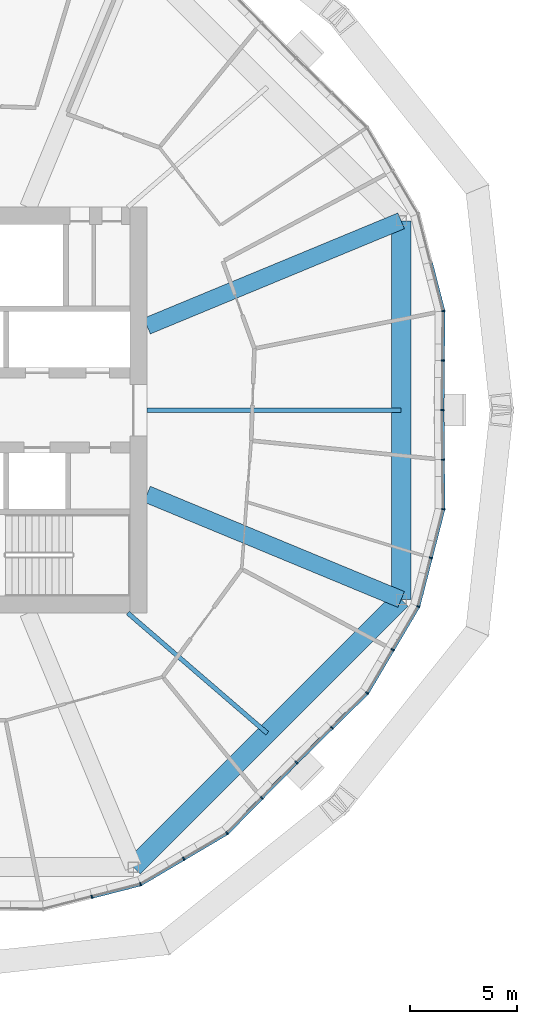
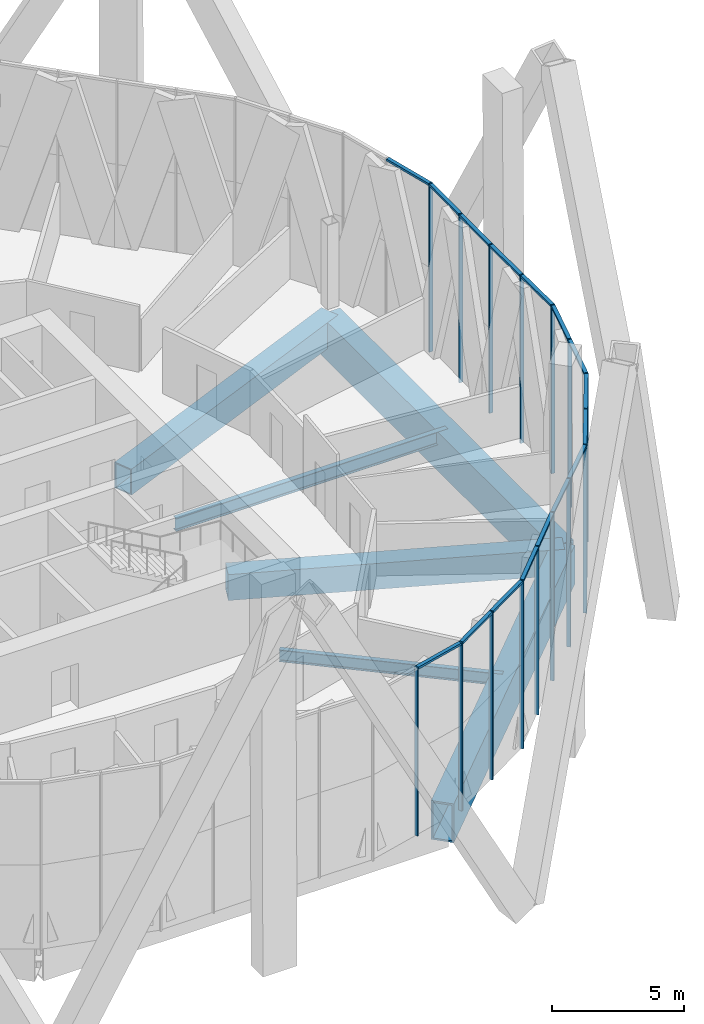
# One storey, part 6 of 30: 32 members, 6 beams, 3 elements without a shape of their own.
"""IFC4 building model written with IfcOpenShell, lengths in metres."""

from ifc_helpers import new_model, si_unit, direction, frame, origin, origin_2d, place, context, subcontext, project, spatial, rectangle, hollow_rectangle, i_section, extrude, material, material_profile, profile_set, type_object, element, aggregate, save


model = new_model("IFC4")

# Units and contexts
model_context = context("Model", 3, precision=1e-05, world=origin(), true_north=direction((0.0, 1.0)))
body_context = subcontext(model_context, "Body", "Model", "MODEL_VIEW")
ifc_project = project(units=[si_unit("LENGTHUNIT", "METRE"), si_unit("AREAUNIT", "SQUARE_METRE"), si_unit("VOLUMEUNIT", "CUBIC_METRE"), si_unit("PLANEANGLEUNIT", "RADIAN"), si_unit("MASSUNIT", "GRAM", prefix="KILO")], contexts=[model_context])

# Site, building, storey
site_placement = place(None, origin())
site = spatial("IfcSite", under=ifc_project, at=site_placement, CompositionType="ELEMENT")
building_placement = place(site_placement, origin())
building = spatial("IfcBuilding", under=site, at=building_placement, Name="Ogive Gate Towers", CompositionType="ELEMENT")
storey_placement = place(building_placement, frame((0.0, 0.0, 99.60009765625)))
storey = spatial("IfcBuildingStorey", under=building, at=storey_placement, Name="L23", CompositionType="ELEMENT", Elevation=99.60009765625)

# Beams
ifc_material_1 = material(Name="Steel SM460", Category="steel")
ifc_material_profile_1 = material_profile(ifc_material_1, hollow_rectangle(XDim=0.89990234375, YDim=1.800048828125, WallThickness=0.080078125, at=origin_2d()), Name="BX 1800x900x80")
ifc_profile_set_1 = profile_set([ifc_material_profile_1], Name="Steel SM460")
beam_type_1 = type_object("IfcBeamType", Name="Edge girder BX 1800x900x80", PredefinedType="BEAM", material=ifc_profile_set_1)
beam_1_placement = place(storey_placement, frame((-27.136962890625, -21.39697265625, -1.2001953125), z_axis=(0.707106781187, 0.707106781187, 0.0), x_axis=(-0.707106781187, 0.707106781187, 0.0)))
element("IfcBeam", 1, at=beam_1_placement, inside=storey, type_object=beam_type_1, Name="T1/L23/SBM019", PredefinedType="BEAM", context=body_context, shape_type="SweptSolid", body=[
    extrude(hollow_rectangle(XDim=0.89990234375, YDim=1.800048828125, WallThickness=0.080078125, at=origin_2d()), origin(), (0.0, 0.0, 1.0), 17.7255859375),
])
beam_2_placement = place(storey_placement, frame((-14.60302734375, -8.863037109375, -1.2001953125), z_axis=(0.0, 1.0, 0.0), x_axis=(-1.0, 0.0, 0.0)))
element("IfcBeam", 2, at=beam_2_placement, inside=storey, type_object=beam_type_1, Name="T1/L23/SBM020", PredefinedType="BEAM", context=body_context, shape_type="SweptSolid", body=[
    extrude(hollow_rectangle(XDim=0.89990234375, YDim=1.800048828125, WallThickness=0.080078125, at=origin_2d()), origin(), (0.0, 0.0, 1.0), 17.72607421875),
])
ifc_material_2 = material(Name="Steel SM355", Category="steel")
ifc_material_profile_2 = material_profile(ifc_material_2, i_section(OverallWidth=0.2099609375, OverallDepth=0.550048828125, WebThickness=0.010986328125, FlangeThickness=0.01708984375, FilletRadius=0.02392578125, at=origin_2d()), Name="IPE 550")
ifc_profile_set_2 = profile_set([ifc_material_profile_2], Name="Steel SM355")
beam_type_2 = type_object("IfcBeamType", Name="Radial floor beam IPE 550", PredefinedType="BEAM", material=ifc_profile_set_2)
beam_3_placement = place(storey_placement, frame((-27.39990234375, -9.5, -0.5751953125), z_axis=(0.757366499315, -0.652990034928, 0.0), x_axis=(0.652990034928, 0.757366499315, 0.0)))
element("IfcBeam", 3, at=beam_3_placement, inside=storey, type_object=beam_type_2, Name="T1/L23/SBM006", PredefinedType="BEAM", context=body_context, shape_type="SweptSolid", body=[
    extrude(i_section(OverallWidth=0.2099609375, OverallDepth=0.550048828125, WebThickness=0.010986328125, FlangeThickness=0.01708984375, FilletRadius=0.02392578125, at=origin_2d()), origin(), (0.0, 0.0, 1.0), 8.62158203125),
])
ifc_material_profile_3 = material_profile(ifc_material_2, i_section(OverallWidth=0.219970703125, OverallDepth=0.60009765625, WebThickness=0.011962890625, FlangeThickness=0.01904296875, FilletRadius=0.02392578125, at=origin_2d()), Name="IPE 600")
ifc_profile_set_3 = profile_set([ifc_material_profile_3], Name="Steel SM355")
beam_type_3 = type_object("IfcBeamType", Name="Radial floor beam IPE 600", PredefinedType="BEAM", material=ifc_profile_set_3)
beam_4_placement = place(storey_placement, frame((-26.5, 0.0, -0.60009765625), z_axis=(1.0, 0.0, 0.0), x_axis=(0.0, 1.0, 0.0)))
element("IfcBeam", 4, at=beam_4_placement, inside=storey, type_object=beam_type_3, Name="T1/L23/SBM008", PredefinedType="BEAM", context=body_context, shape_type="SweptSolid", body=[
    extrude(i_section(OverallWidth=0.219970703125, OverallDepth=0.60009765625, WebThickness=0.011962890625, FlangeThickness=0.01904296875, FilletRadius=0.02392578125, at=origin_2d()), origin(), (0.0, 0.0, 1.0), 11.89697265625),
])

# Curtain wall, members
ifc_material_3 = material(Name="Pale metal aluminium", Category="aluminium")
curtain_wall_type = type_object("IfcCurtainWallType", Name="Tower unitised wall, low zone", PredefinedType="NOTDEFINED", material=ifc_material_3)
curtain_wall_1_placement = place(storey_placement, origin())
curtain_wall_1 = element("IfcCurtainWall", 5, at=curtain_wall_1_placement, inside=storey, type_object=curtain_wall_type, Name="CW1 T1 ECW03", PredefinedType="NOTDEFINED")
ifc_material_profile_4 = material_profile(ifc_material_3, rectangle(XDim=0.159912109375, YDim=0.06005859375, at=origin_2d()), Name="60 x 160 aluminium box")
ifc_profile_set_4 = profile_set([ifc_material_profile_4], Name="Pale metal aluminium")
member_type_1 = type_object("IfcMemberType", Name="Tower unitised wall, low zone mullion 60 x 160", PredefinedType="MULLION", material=ifc_profile_set_4)
member_1_placement = place(storey_placement, frame((-12.62548828125, 4.64013671875, -0.300048828125), z_axis=(0.0, 0.0, 1.0), x_axis=(-0.992669010308, -0.120864535632, 0.0)))
member_1 = element("IfcMember", 6, at=member_1_placement, type_object=member_type_1, Name="CW1 mullion", PredefinedType="MULLION", context=body_context, shape_type="SweptSolid", body=[
    extrude(rectangle(XDim=0.159912109375, YDim=0.06005859375, at=origin_2d()), origin(), (0.0, 0.0, 1.0), 7.800048828125),
])
member_2_placement = place(storey_placement, frame((-12.647705078125, 2.318603515625, -0.300048828125), z_axis=(0.0, 0.0, 1.0), x_axis=(-0.999953926969, 0.009599163462, 0.0)))
member_2 = element("IfcMember", 7, at=member_2_placement, type_object=member_type_1, Name="CW1 mullion", PredefinedType="MULLION", context=body_context, shape_type="SweptSolid", body=[
    extrude(rectangle(XDim=0.159912109375, YDim=0.06005859375, at=origin_2d()), origin(), (0.0, 0.0, 1.0), 7.800048828125),
])
member_3_placement = place(storey_placement, frame((-12.669921875, -0.000244140625, -0.300048828125), z_axis=(0.0, 0.0, 1.0), x_axis=(-0.99995375928, 0.009616615949, 0.0)))
member_3 = element("IfcMember", 8, at=member_3_placement, type_object=member_type_1, Name="CW1 mullion", PredefinedType="MULLION", context=body_context, shape_type="SweptSolid", body=[
    extrude(rectangle(XDim=0.159912109375, YDim=0.06005859375, at=origin_2d()), origin(), (0.0, 0.0, 1.0), 7.800048828125),
])

curtain_wall_2_placement = place(storey_placement, origin())
curtain_wall_2 = element("IfcCurtainWall", 9, at=curtain_wall_2_placement, inside=storey, type_object=curtain_wall_type, Name="CW1 T1 ECW09", PredefinedType="NOTDEFINED")
member_4_placement = place(storey_placement, frame((-19.5029296875, -16.49658203125, -0.300048828125), z_axis=(0.0, 0.0, 1.0), x_axis=(-0.713849613797, 0.700299028189, 0.0)))
member_4 = element("IfcMember", 10, at=member_4_placement, type_object=member_type_1, Name="CW1 mullion", PredefinedType="MULLION", context=body_context, shape_type="SweptSolid", body=[
    extrude(rectangle(XDim=0.159912109375, YDim=0.06005859375, at=origin_2d()), origin(), (0.0, 0.0, 1.0), 7.800048828125),
])
member_5_placement = place(storey_placement, frame((-21.126953125, -18.152099609375, -0.300048828125), z_axis=(0.0, 0.0, 1.0), x_axis=(-0.713849613797, 0.700299028189, 0.0)))
member_5 = element("IfcMember", 11, at=member_5_placement, type_object=member_type_1, Name="CW1 mullion", PredefinedType="MULLION", context=body_context, shape_type="SweptSolid", body=[
    extrude(rectangle(XDim=0.159912109375, YDim=0.06005859375, at=origin_2d()), origin(), (0.0, 0.0, 1.0), 7.800048828125),
])
member_6_placement = place(storey_placement, frame((-22.7529296875, -19.809326171875, -0.300048828125), z_axis=(0.0, 0.0, 1.0), x_axis=(-0.616458855912, 0.787387121413, 0.0)))
member_6 = element("IfcMember", 12, at=member_6_placement, type_object=member_type_1, Name="CW1 mullion", PredefinedType="MULLION", context=body_context, shape_type="SweptSolid", body=[
    extrude(rectangle(XDim=0.159912109375, YDim=0.06005859375, at=origin_2d()), origin(), (0.0, 0.0, 1.0), 7.800048828125),
])
member_7_placement = place(storey_placement, frame((-24.778076171875, -21.005615234375, -0.300048828125), z_axis=(0.0, 0.0, 1.0), x_axis=(-0.508545579527, 0.86103507103, 0.0)))
member_7 = element("IfcMember", 13, at=member_7_placement, type_object=member_type_1, Name="CW1 mullion", PredefinedType="MULLION", context=body_context, shape_type="SweptSolid", body=[
    extrude(rectangle(XDim=0.159912109375, YDim=0.06005859375, at=origin_2d()), origin(), (0.0, 0.0, 1.0), 7.800048828125),
])
member_8_placement = place(storey_placement, frame((-26.8037109375, -22.201904296875, -0.300048828125), z_axis=(0.0, 0.0, 1.0), x_axis=(-0.382683432365, 0.923879532511, 0.0)))
member_8 = element("IfcMember", 14, at=member_8_placement, type_object=member_type_1, Name="CW1 mullion", PredefinedType="MULLION", context=body_context, shape_type="SweptSolid", body=[
    extrude(rectangle(XDim=0.159912109375, YDim=0.06005859375, at=origin_2d()), origin(), (0.0, 0.0, 1.0), 7.800048828125),
])
member_9_placement = place(storey_placement, frame((-29.081787109375, -22.788330078125, -0.300048828125), z_axis=(0.0, 0.0, 1.0), x_axis=(-0.249247709738, 0.968439765391, 0.0)))
member_9 = element("IfcMember", 15, at=member_9_placement, type_object=member_type_1, Name="CW1 mullion", PredefinedType="MULLION", context=body_context, shape_type="SweptSolid", body=[
    extrude(rectangle(XDim=0.159912109375, YDim=0.06005859375, at=origin_2d()), origin(), (0.0, 0.0, 1.0), 7.800048828125),
])

curtain_wall_3_placement = place(storey_placement, origin())
curtain_wall_3 = element("IfcCurtainWall", 16, at=curtain_wall_3_placement, inside=storey, type_object=curtain_wall_type, Name="CW1 T1 ECW10", PredefinedType="NOTDEFINED")
member_10_placement = place(storey_placement, frame((-12.647705078125, -2.318603515625, -0.300048828125), z_axis=(0.0, 0.0, 1.0), x_axis=(-0.999953926969, -0.009599163462, 0.0)))
member_10 = element("IfcMember", 17, at=member_10_placement, type_object=member_type_1, Name="CW1 mullion", PredefinedType="MULLION", context=body_context, shape_type="SweptSolid", body=[
    extrude(rectangle(XDim=0.159912109375, YDim=0.06005859375, at=origin_2d()), origin(), (0.0, 0.0, 1.0), 7.800048828125),
])
member_11_placement = place(storey_placement, frame((-12.62548828125, -4.64013671875, -0.300048828125), z_axis=(0.0, 0.0, 1.0), x_axis=(-0.992669010308, 0.120864535632, 0.0)))
member_11 = element("IfcMember", 18, at=member_11_placement, type_object=member_type_1, Name="CW1 mullion", PredefinedType="MULLION", context=body_context, shape_type="SweptSolid", body=[
    extrude(rectangle(XDim=0.159912109375, YDim=0.06005859375, at=origin_2d()), origin(), (0.0, 0.0, 1.0), 7.800048828125),
])
member_12_placement = place(storey_placement, frame((-13.211669921875, -6.918212890625, -0.300048828125), z_axis=(0.0, 0.0, 1.0), x_axis=(-0.968439765391, 0.249247709738, 0.0)))
member_12 = element("IfcMember", 19, at=member_12_placement, type_object=member_type_1, Name="CW1 mullion", PredefinedType="MULLION", context=body_context, shape_type="SweptSolid", body=[
    extrude(rectangle(XDim=0.159912109375, YDim=0.06005859375, at=origin_2d()), origin(), (0.0, 0.0, 1.0), 7.800048828125),
])
member_13_placement = place(storey_placement, frame((-13.798095703125, -9.1962890625, -0.300048828125), z_axis=(0.0, 0.0, 1.0), x_axis=(-0.923879532511, 0.382683432365, 0.0)))
member_13 = element("IfcMember", 20, at=member_13_placement, type_object=member_type_1, Name="CW1 mullion", PredefinedType="MULLION", context=body_context, shape_type="SweptSolid", body=[
    extrude(rectangle(XDim=0.159912109375, YDim=0.06005859375, at=origin_2d()), origin(), (0.0, 0.0, 1.0), 7.800048828125),
])
member_14_placement = place(storey_placement, frame((-14.994384765625, -11.221923828125, -0.300048828125), z_axis=(0.0, 0.0, 1.0), x_axis=(-0.86103507103, 0.508545579527, 0.0)))
member_14 = element("IfcMember", 21, at=member_14_placement, type_object=member_type_1, Name="CW1 mullion", PredefinedType="MULLION", context=body_context, shape_type="SweptSolid", body=[
    extrude(rectangle(XDim=0.159912109375, YDim=0.06005859375, at=origin_2d()), origin(), (0.0, 0.0, 1.0), 7.800048828125),
])
member_15_placement = place(storey_placement, frame((-16.190673828125, -13.2470703125, -0.300048828125), z_axis=(0.0, 0.0, 1.0), x_axis=(-0.787387121413, 0.616458855912, 0.0)))
member_15 = element("IfcMember", 22, at=member_15_placement, type_object=member_type_1, Name="CW1 mullion", PredefinedType="MULLION", context=body_context, shape_type="SweptSolid", body=[
    extrude(rectangle(XDim=0.159912109375, YDim=0.06005859375, at=origin_2d()), origin(), (0.0, 0.0, 1.0), 7.800048828125),
])
member_16_placement = place(storey_placement, frame((-17.847900390625, -14.873046875, -0.300048828125), z_axis=(0.0, 0.0, 1.0), x_axis=(-0.700299028189, 0.713849613797, 0.0)))
member_16 = element("IfcMember", 23, at=member_16_placement, type_object=member_type_1, Name="CW1 mullion", PredefinedType="MULLION", context=body_context, shape_type="SweptSolid", body=[
    extrude(rectangle(XDim=0.159912109375, YDim=0.06005859375, at=origin_2d()), origin(), (0.0, 0.0, 1.0), 7.800048828125),
])

# Member
ifc_material_profile_5 = material_profile(ifc_material_3, rectangle(XDim=0.159912109375, YDim=0.10009765625, at=origin_2d()), Name="100 x 160 aluminium box")
ifc_profile_set_5 = profile_set([ifc_material_profile_5], Name="Pale metal aluminium")
member_type_2 = type_object("IfcMemberType", Name="Tower unitised wall, low zone transom 100 x 160", PredefinedType="USERDEFINED", material=ifc_profile_set_5)
member_17_placement = place(storey_placement, frame((-13.204345703125, 6.88916015625, 7.449951171875), z_axis=(0.249303934712, -0.968425293008, 0.0), x_axis=(0.968425293008, 0.249303934712, 0.0)))
member_17 = element("IfcMember", 24, at=member_17_placement, type_object=member_type_2, Name="CW1 transom", ObjectType="TRANSOM", PredefinedType="USERDEFINED", context=body_context, shape_type="SweptSolid", body=[
    extrude(rectangle(XDim=0.159912109375, YDim=0.10009765625, at=origin_2d()), origin(), (0.0, 0.0, 1.0), 2.28955078125),
])

member_18_placement = place(storey_placement, frame((-12.625732421875, 4.607666015625, 7.449951171875), z_axis=(-0.009618057208, -0.999953745418, 0.0), x_axis=(0.999953745418, -0.009618057208, 0.0)))
member_18 = element("IfcMember", 25, at=member_18_placement, type_object=member_type_2, Name="CW1 transom", ObjectType="TRANSOM", PredefinedType="USERDEFINED", context=body_context, shape_type="SweptSolid", body=[
    extrude(rectangle(XDim=0.159912109375, YDim=0.10009765625, at=origin_2d()), origin(), (0.0, 0.0, 1.0), 2.259033203125),
])

member_19_placement = place(storey_placement, frame((-12.64794921875, 2.288818359375, 7.449951171875), z_axis=(-0.009618057208, -0.999953745418, 0.0), x_axis=(0.999953745418, -0.009618057208, 0.0)))
member_19 = element("IfcMember", 26, at=member_19_placement, type_object=member_type_2, Name="CW1 transom", ObjectType="TRANSOM", PredefinedType="USERDEFINED", context=body_context, shape_type="SweptSolid", body=[
    extrude(rectangle(XDim=0.159912109375, YDim=0.10009765625, at=origin_2d()), origin(), (0.0, 0.0, 1.0), 2.259033203125),
])

aggregate(curtain_wall_1, [member_1, member_17, member_2, member_18, member_3, member_19])

member_20_placement = place(storey_placement, frame((-19.52392578125, -16.51806640625, 7.449951171875), z_axis=(-0.700319890129, -0.713829147269, 0.0), x_axis=(0.713829147269, -0.700319890129, 0.0)))
member_20 = element("IfcMember", 27, at=member_20_placement, type_object=member_type_2, Name="CW1 transom", ObjectType="TRANSOM", PredefinedType="USERDEFINED", context=body_context, shape_type="SweptSolid", body=[
    extrude(rectangle(XDim=0.159912109375, YDim=0.10009765625, at=origin_2d()), origin(), (0.0, 0.0, 1.0), 2.259033203125),
])

member_21_placement = place(storey_placement, frame((-21.14794921875, -18.173583984375, 7.449951171875), z_axis=(-0.700319890129, -0.713829147269, 0.0), x_axis=(0.713829147269, -0.700319890129, 0.0)))
member_21 = element("IfcMember", 28, at=member_21_placement, type_object=member_type_2, Name="CW1 transom", ObjectType="TRANSOM", PredefinedType="USERDEFINED", context=body_context, shape_type="SweptSolid", body=[
    extrude(rectangle(XDim=0.159912109375, YDim=0.10009765625, at=origin_2d()), origin(), (0.0, 0.0, 1.0), 2.259033203125),
])

member_22_placement = place(storey_placement, frame((-22.781005859375, -19.826171875, 7.449951171875), z_axis=(-0.861019926697, -0.508571220017, 0.0), x_axis=(0.508571220017, -0.861019926697, 0.0)))
member_22 = element("IfcMember", 29, at=member_22_placement, type_object=member_type_2, Name="CW1 transom", ObjectType="TRANSOM", PredefinedType="USERDEFINED", context=body_context, shape_type="SweptSolid", body=[
    extrude(rectangle(XDim=0.159912109375, YDim=0.10009765625, at=origin_2d()), origin(), (0.0, 0.0, 1.0), 2.289306640625),
])

member_23_placement = place(storey_placement, frame((-24.803955078125, -21.02099609375, 7.449951171875), z_axis=(-0.861047505043, -0.508524526508, 0.0), x_axis=(0.508524526508, -0.861047505043, 0.0)))
member_23 = element("IfcMember", 30, at=member_23_placement, type_object=member_type_2, Name="CW1 transom", ObjectType="TRANSOM", PredefinedType="USERDEFINED", context=body_context, shape_type="SweptSolid", body=[
    extrude(rectangle(XDim=0.159912109375, YDim=0.10009765625, at=origin_2d()), origin(), (0.0, 0.0, 1.0), 2.28955078125),
])

member_24_placement = place(storey_placement, frame((-26.83544921875, -22.210205078125, 7.449951171875), z_axis=(-0.968451032757, -0.249203926839, 0.0), x_axis=(0.249203926839, -0.968451032757, 0.0)))
member_24 = element("IfcMember", 31, at=member_24_placement, type_object=member_type_2, Name="CW1 transom", ObjectType="TRANSOM", PredefinedType="USERDEFINED", context=body_context, shape_type="SweptSolid", body=[
    extrude(rectangle(XDim=0.159912109375, YDim=0.10009765625, at=origin_2d()), origin(), (0.0, 0.0, 1.0), 2.28955078125),
])

aggregate(curtain_wall_2, [member_4, member_5, member_20, member_6, member_21, member_7, member_22, member_8, member_23, member_9, member_24])

member_25_placement = place(storey_placement, frame((-12.669677734375, -0.02978515625, 7.449951171875), z_axis=(0.009618057208, -0.999953745418, 0.0), x_axis=(0.999953745418, 0.009618057208, 0.0)))
member_25 = element("IfcMember", 32, at=member_25_placement, type_object=member_type_2, Name="CW1 transom", ObjectType="TRANSOM", PredefinedType="USERDEFINED", context=body_context, shape_type="SweptSolid", body=[
    extrude(rectangle(XDim=0.159912109375, YDim=0.10009765625, at=origin_2d()), origin(), (0.0, 0.0, 1.0), 2.259033203125),
])

member_26_placement = place(storey_placement, frame((-12.6474609375, -2.3486328125, 7.449951171875), z_axis=(0.009618057208, -0.999953745418, 0.0), x_axis=(0.999953745418, 0.009618057208, 0.0)))
member_26 = element("IfcMember", 33, at=member_26_placement, type_object=member_type_2, Name="CW1 transom", ObjectType="TRANSOM", PredefinedType="USERDEFINED", context=body_context, shape_type="SweptSolid", body=[
    extrude(rectangle(XDim=0.159912109375, YDim=0.10009765625, at=origin_2d()), origin(), (0.0, 0.0, 1.0), 2.259033203125),
])

member_27_placement = place(storey_placement, frame((-12.633544921875, -4.671875, 7.449951171875), z_axis=(-0.249303934712, -0.968425293008, 0.0), x_axis=(0.968425293008, -0.249303934712, 0.0)))
member_27 = element("IfcMember", 34, at=member_27_placement, type_object=member_type_2, Name="CW1 transom", ObjectType="TRANSOM", PredefinedType="USERDEFINED", context=body_context, shape_type="SweptSolid", body=[
    extrude(rectangle(XDim=0.159912109375, YDim=0.10009765625, at=origin_2d()), origin(), (0.0, 0.0, 1.0), 2.28955078125),
])

member_28_placement = place(storey_placement, frame((-13.21923828125, -6.947265625, 7.449951171875), z_axis=(-0.249203926839, -0.968451032757, 0.0), x_axis=(0.968451032757, -0.249203926839, 0.0)))
member_28 = element("IfcMember", 35, at=member_28_placement, type_object=member_type_2, Name="CW1 transom", ObjectType="TRANSOM", PredefinedType="USERDEFINED", context=body_context, shape_type="SweptSolid", body=[
    extrude(rectangle(XDim=0.159912109375, YDim=0.10009765625, at=origin_2d()), origin(), (0.0, 0.0, 1.0), 2.28955078125),
])

member_29_placement = place(storey_placement, frame((-13.814697265625, -9.224609375, 7.449951171875), z_axis=(-0.508524526508, -0.861047505043, 0.0), x_axis=(0.861047505043, -0.508524526508, 0.0)))
member_29 = element("IfcMember", 36, at=member_29_placement, type_object=member_type_2, Name="CW1 transom", ObjectType="TRANSOM", PredefinedType="USERDEFINED", context=body_context, shape_type="SweptSolid", body=[
    extrude(rectangle(XDim=0.159912109375, YDim=0.10009765625, at=origin_2d()), origin(), (0.0, 0.0, 1.0), 2.28955078125),
])

member_30_placement = place(storey_placement, frame((-15.009521484375, -11.247802734375, 7.449951171875), z_axis=(-0.508571220017, -0.861019926697, 0.0), x_axis=(0.861019926697, -0.508571220017, 0.0)))
member_30 = element("IfcMember", 37, at=member_30_placement, type_object=member_type_2, Name="CW1 transom", ObjectType="TRANSOM", PredefinedType="USERDEFINED", context=body_context, shape_type="SweptSolid", body=[
    extrude(rectangle(XDim=0.159912109375, YDim=0.10009765625, at=origin_2d()), origin(), (0.0, 0.0, 1.0), 2.289306640625),
])

member_31_placement = place(storey_placement, frame((-16.2138671875, -13.27001953125, 7.449951171875), z_axis=(-0.713829147269, -0.700319890129, 0.0), x_axis=(0.700319890129, -0.713829147269, 0.0)))
member_31 = element("IfcMember", 38, at=member_31_placement, type_object=member_type_2, Name="CW1 transom", ObjectType="TRANSOM", PredefinedType="USERDEFINED", context=body_context, shape_type="SweptSolid", body=[
    extrude(rectangle(XDim=0.159912109375, YDim=0.10009765625, at=origin_2d()), origin(), (0.0, 0.0, 1.0), 2.259033203125),
])

member_32_placement = place(storey_placement, frame((-17.869384765625, -14.89404296875, 7.449951171875), z_axis=(-0.713829147269, -0.700319890129, 0.0), x_axis=(0.700319890129, -0.713829147269, 0.0)))
member_32 = element("IfcMember", 39, at=member_32_placement, type_object=member_type_2, Name="CW1 transom", ObjectType="TRANSOM", PredefinedType="USERDEFINED", context=body_context, shape_type="SweptSolid", body=[
    extrude(rectangle(XDim=0.159912109375, YDim=0.10009765625, at=origin_2d()), origin(), (0.0, 0.0, 1.0), 2.259033203125),
])

aggregate(curtain_wall_3, [member_10, member_25, member_11, member_26, member_12, member_27, member_13, member_28, member_14, member_29, member_15, member_30, member_16, member_31, member_32])

# Beams
ifc_material_profile_6 = material_profile(ifc_material_1, hollow_rectangle(XDim=0.800048828125, YDim=1.199951171875, WallThickness=0.050048828125, at=origin_2d()), Name="BX 1200x800x50")
ifc_profile_set_6 = profile_set([ifc_material_profile_6], Name="Steel SM460")
beam_type_4 = type_object("IfcBeamType", Name="Transfer radial beam BX 1200x800x50", PredefinedType="BEAM", material=ifc_profile_set_6)
for number, where, z_axis, x_axis, name in (
    (40, (-26.5, -3.93505859375, -0.900146484375), (0.923877031545, -0.382689470177, 0.0), (0.382689470177, 0.923877031545, 0.0), "T1/L23/SBM007"),
    (41, (-26.5, 3.93505859375, -0.900146484375), (0.923877031545, 0.382689470177, 0.0), (-0.382689470177, 0.923877031545, 0.0), "T1/L23/SBM009"),
):
    element("IfcBeam", number, at=place(storey_placement, frame(where, z_axis=z_axis, x_axis=x_axis)), inside=storey, type_object=beam_type_4, Name=name, PredefinedType="BEAM", context=body_context, shape_type="SweptSolid", body=[
        extrude(hollow_rectangle(XDim=0.800048828125, YDim=1.199951171875, WallThickness=0.050048828125, at=origin_2d()), origin(), (0.0, 0.0, 1.0), 12.877197265625),
    ])

save(model, "model.ifc")
